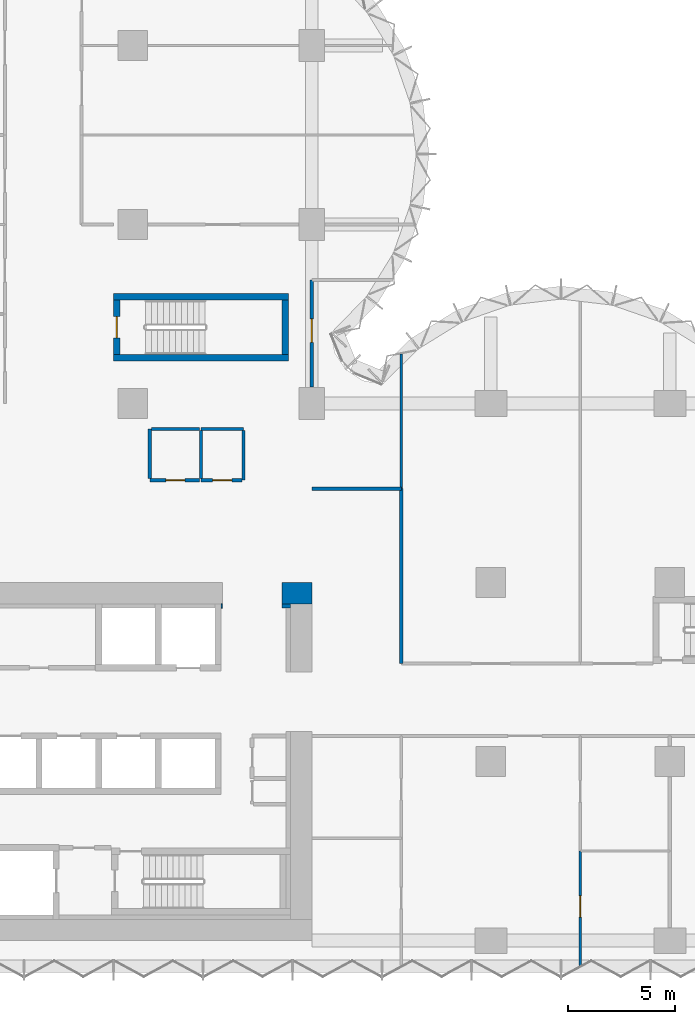
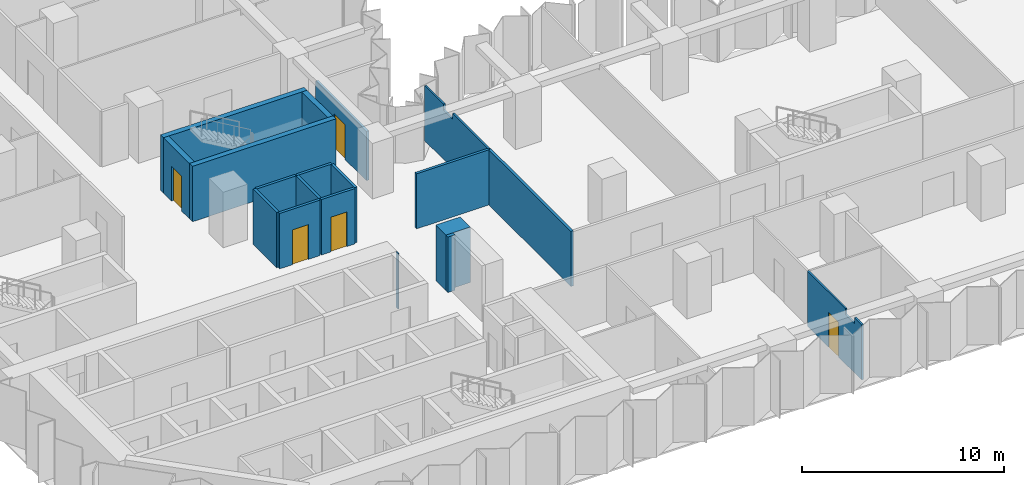
# One storey, part 9 of 15: 19 walls, 5 doors, 5 openings.
"""IFC4 building model written with IfcOpenShell, lengths in metres."""

from ifc_helpers import new_model, si_unit, direction, frame, frame_2d, origin, place, context, subcontext, project, spatial, polyline, rectangle, outline, extrude, material, layer, layer_set, type_object, element, fill, save


model = new_model("IFC4")

# Units and contexts
model_context = context("Model", 3, precision=1e-05, world=origin(), true_north=direction((0.0, 1.0)))
body_context = subcontext(model_context, "Body", "Model", "MODEL_VIEW")
ifc_project = project(units=[si_unit("LENGTHUNIT", "METRE"), si_unit("AREAUNIT", "SQUARE_METRE"), si_unit("VOLUMEUNIT", "CUBIC_METRE"), si_unit("PLANEANGLEUNIT", "RADIAN"), si_unit("MASSUNIT", "GRAM", prefix="KILO")], contexts=[model_context])

# Site, building, storey
site_placement = place(None, origin())
site = spatial("IfcSite", under=ifc_project, at=site_placement, CompositionType="ELEMENT")
building_placement = place(site_placement, origin())
building = spatial("IfcBuilding", under=site, at=building_placement, Name="Brevane Broadcast Tower", CompositionType="ELEMENT")
storey_placement = place(building_placement, frame((0.0, 0.0, 54.5)))
storey = spatial("IfcBuildingStorey", under=building, at=storey_placement, Name="L11", CompositionType="ELEMENT", Elevation=54.5)

# Walls
ifc_material_1 = material(Name="Concrete C32/40", Category="concrete")
ifc_layer_1 = layer(ifc_material_1, 0.199951171875)
ifc_layer_set_1 = layer_set([ifc_layer_1], Name="Core chase wall 200 mm")
wall_type_1 = type_object("IfcWallType", Name="Core chase wall 200 mm", PredefinedType="PARTITIONING", material=ifc_layer_set_1)
wall_1_placement = place(storey_placement, frame((23.800048828125, 15.699951171875, 0.0), z_axis=(0.0, 0.0, 1.0), x_axis=(1.0, 0.0, 0.0)))
element("IfcWall", 1, at=wall_1_placement, inside=storey, type_object=wall_type_1, Name="L11 chase wall LN2", PredefinedType="PARTITIONING", context=body_context, shape_type="SweptSolid", body=[
    extrude(rectangle(XDim=0.39990234375, YDim=0.199951171875, at=frame_2d((0.199951171875, 0.0))), origin(), (0.0, 0.0, 1.0), 3.35009765625),
])
wall_2_placement = place(storey_placement, frame((20.949951171875, 15.699951171875, 0.0), z_axis=(0.0, 0.0, 1.0), x_axis=(1.0, 0.0, 0.0)))
element("IfcWall", 2, at=wall_2_placement, inside=storey, type_object=wall_type_1, Name="L11 chase wall LN1-2-2-2-2", PredefinedType="PARTITIONING", context=body_context, shape_type="SweptSolid", body=[
    extrude(rectangle(XDim=0.050048828125, YDim=0.199951171875, at=frame_2d((0.02490234375, 0.0))), origin(), (0.0, 0.0, 1.0), 3.35009765625),
])
ifc_material_2 = material(Name="Gypsum board on steel studs", Category="steel")
ifc_layer_2 = layer(ifc_material_2, 0.14990234375)
ifc_layer_set_2 = layer_set([ifc_layer_2], Name="Core fire partition 150 mm")
wall_type_2 = type_object("IfcWallType", Name="Core fire partition 150 mm", PredefinedType="PARTITIONING", material=ifc_layer_set_2)
wall_3_placement = place(storey_placement, frame((20.0, 24.0, 0.0), z_axis=(0.0, 0.0, 1.0), x_axis=(1.0, 0.0, 0.0)))
element("IfcWall", 3, at=wall_3_placement, inside=storey, type_object=wall_type_2, Name="L11 partition wall P15", PredefinedType="PARTITIONING", context=body_context, shape_type="SweptSolid", body=[
    extrude(rectangle(XDim=2.0, YDim=0.14990234375, at=frame_2d((1.0, 0.0))), origin(), (0.0, 0.0, 1.0), 3.35009765625),
])
wall_4_placement = place(storey_placement, frame((22.0, 23.925048828125, 0.0), z_axis=(0.0, 0.0, 1.0), x_axis=(0.0, -1.0, 0.0)))
element("IfcWall", 4, at=wall_4_placement, inside=storey, type_object=wall_type_2, Name="L11 partition wall P16", PredefinedType="PARTITIONING", context=body_context, shape_type="SweptSolid", body=[
    extrude(rectangle(XDim=2.324951171875, YDim=0.14990234375, at=frame_2d((1.16259765625, 0.0))), origin(), (0.0, 0.0, 1.0), 3.35009765625),
])

# Wall, opening, door
wall_5_placement = place(storey_placement, frame((21.925048828125, 21.60009765625, 0.0), z_axis=(0.0, 0.0, 1.0), x_axis=(-1.0, 0.0, 0.0)))
wall_5 = element("IfcWall", 5, at=wall_5_placement, inside=storey, type_object=wall_type_2, Name="L11 partition wall P17", PredefinedType="PARTITIONING", context=body_context, shape_type="SweptSolid", body=[
    extrude(rectangle(XDim=1.925048828125, YDim=0.14990234375, at=frame_2d((0.96240234375, 0.0))), origin(), (0.0, 0.0, 1.0), 3.35009765625),
])
opening_1_placement = place(wall_5_placement, frame((0.47509765625, 0.0, 0.0)))
opening_1 = element("IfcOpeningElement", 6, at=opening_1_placement, cuts=wall_5, Name="Opening L11-K24", PredefinedType="OPENING", context=body_context, shape_type="SweptSolid", body=[
    extrude(rectangle(XDim=0.89990234375, YDim=2.10009765625, at=frame_2d((0.449951171875, 1.050048828125))), frame((0.0, 0.0849609375, 0.0), z_axis=(0.0, -1.0, 0.0), x_axis=(1.0, 0.0, 0.0)), (0.0, 0.0, 1.0), 0.169921875),
])
ifc_material_3 = material(Name="Timber", Category="wood")
door_type_1 = type_object("IfcDoorType", Name="Toilet door 900 x 2100", OperationType="SINGLE_SWING_LEFT", PredefinedType="DOOR", material=ifc_material_3)
door_1_placement = place(opening_1_placement, origin())
door_1 = element("IfcDoor", 7, at=door_1_placement, inside=storey, type_object=door_type_1, Name="Door L11-K24", OperationType="SINGLE_SWING_LEFT", OverallHeight=2.10009765625, OverallWidth=0.89990234375, PredefinedType="DOOR", context=body_context, shape_type="SweptSolid", body=[
    extrude(rectangle(XDim=0.89990234375, YDim=2.10009765625, at=frame_2d((0.449951171875, 1.050048828125))), frame((0.0, 0.02490234375, 0.0), z_axis=(0.0, -1.0, 0.0), x_axis=(1.0, 0.0, 0.0)), (0.0, 0.0, 1.0), 0.050048828125),
])
fill(opening_1, door_1)

# Wall
wall_6_placement = place(storey_placement, frame((20.0, 21.675048828125, 0.0), z_axis=(0.0, 0.0, 1.0), x_axis=(0.0, 1.0, 0.0)))
element("IfcWall", 8, at=wall_6_placement, inside=storey, type_object=wall_type_2, Name="L11 partition wall P18", PredefinedType="PARTITIONING", context=body_context, shape_type="SweptSolid", body=[
    extrude(rectangle(XDim=2.25, YDim=0.14990234375, at=frame_2d((1.125, 0.0))), origin(), (0.0, 0.0, 1.0), 3.35009765625),
])

# Wall, opening, door
wall_7_placement = place(storey_placement, frame((19.925048828125, 21.60009765625, 0.0), z_axis=(0.0, 0.0, 1.0), x_axis=(-1.0, 0.0, 0.0)))
wall_7 = element("IfcWall", 9, at=wall_7_placement, inside=storey, type_object=wall_type_2, Name="L11 partition wall P19", PredefinedType="PARTITIONING", context=body_context, shape_type="SweptSolid", body=[
    extrude(rectangle(XDim=2.324951171875, YDim=0.14990234375, at=frame_2d((1.16259765625, 0.0))), origin(), (0.0, 0.0, 1.0), 3.35009765625),
])
opening_2_placement = place(wall_7_placement, frame((0.675048828125, 0.0, 0.0)))
opening_2 = element("IfcOpeningElement", 10, at=opening_2_placement, cuts=wall_7, Name="Opening L11-K25", PredefinedType="OPENING", context=body_context, shape_type="SweptSolid", body=[
    extrude(rectangle(XDim=0.89990234375, YDim=2.10009765625, at=frame_2d((0.449951171875, 1.050048828125))), frame((0.0, 0.0849609375, 0.0), z_axis=(0.0, -1.0, 0.0), x_axis=(1.0, 0.0, 0.0)), (0.0, 0.0, 1.0), 0.169921875),
])
ifc_material_4 = material(Name="Steel", Category="steel")
door_type_2 = type_object("IfcDoorType", Name="Service room door 900 x 2100", OperationType="SINGLE_SWING_LEFT", PredefinedType="DOOR", material=ifc_material_4)
door_2_placement = place(opening_2_placement, origin())
door_2 = element("IfcDoor", 11, at=door_2_placement, inside=storey, type_object=door_type_2, Name="Door L11-K25", OperationType="SINGLE_SWING_RIGHT", OverallHeight=2.10009765625, OverallWidth=0.89990234375, PredefinedType="DOOR", context=body_context, shape_type="SweptSolid", body=[
    extrude(rectangle(XDim=0.89990234375, YDim=2.10009765625, at=frame_2d((0.449951171875, 1.050048828125))), frame((0.0, 0.02490234375, 0.0), z_axis=(0.0, -1.0, 0.0), x_axis=(1.0, 0.0, 0.0)), (0.0, 0.0, 1.0), 0.050048828125),
])
fill(opening_2, door_2)

# Walls
wall_8_placement = place(storey_placement, frame((17.60009765625, 21.675048828125, 0.0), z_axis=(0.0, 0.0, 1.0), x_axis=(0.0, 1.0, 0.0)))
element("IfcWall", 12, at=wall_8_placement, inside=storey, type_object=wall_type_2, Name="L11 partition wall P20", PredefinedType="PARTITIONING", context=body_context, shape_type="SweptSolid", body=[
    extrude(rectangle(XDim=2.324951171875, YDim=0.14990234375, at=frame_2d((1.16259765625, 0.0))), origin(), (0.0, 0.0, 1.0), 3.35009765625),
])
wall_9_placement = place(storey_placement, frame((17.675048828125, 24.0, 0.0), z_axis=(0.0, 0.0, 1.0), x_axis=(1.0, 0.0, 0.0)))
element("IfcWall", 13, at=wall_9_placement, inside=storey, type_object=wall_type_2, Name="L11 partition wall P21", PredefinedType="PARTITIONING", context=body_context, shape_type="SweptSolid", body=[
    extrude(rectangle(XDim=2.25, YDim=0.14990234375, at=frame_2d((1.125, 0.0))), origin(), (0.0, 0.0, 1.0), 3.35009765625),
])
ifc_material_5 = material(Name="Concrete C80/95", Category="concrete")
ifc_layer_3 = layer(ifc_material_5, 1.0)
ifc_layer_set_3 = layer_set([ifc_layer_3], Name="Core wall 1000 mm C80/95")
wall_type_3 = type_object("IfcWallType", Name="Core wall 1000 mm C80/95", PredefinedType="SHEAR", material=ifc_layer_set_3)
wall_10_placement = place(storey_placement, frame((23.800048828125, 16.300048828125, 0.0), z_axis=(0.0, 0.0, 1.0), x_axis=(1.0, 0.0, 0.0)))
element("IfcWall", 14, at=wall_10_placement, inside=storey, type_object=wall_type_3, Name="L11 outer wall WN2", PredefinedType="SHEAR", context=body_context, shape_type="SweptSolid", body=[
    extrude(rectangle(XDim=1.39990234375, YDim=1.0, at=frame_2d((0.699951171875, 0.0))), origin(), (0.0, 0.0, 1.0), 3.35009765625),
])
ifc_layer_4 = layer(ifc_material_5, 0.300048828125)
ifc_layer_set_4 = layer_set([ifc_layer_4], Name="Core wall 300 mm C80/95")
wall_type_4 = type_object("IfcWallType", Name="Core wall 300 mm C80/95", PredefinedType="SHEAR", material=ifc_layer_set_4)
for number, where, z_axis, x_axis, name in (
    (15, (15.89990234375, 27.35009765625, 0.0), (0.0, 0.0, 1.0), (1.0, 0.0, 0.0), "L11 stair wall ST-3-S"),
    (16, (15.89990234375, 30.199951171875, 0.0), (0.0, 0.0, 1.0), (1.0, 0.0, 0.0), "L11 stair wall ST-3-N"),
):
    element("IfcWall", number, at=place(storey_placement, frame(where, z_axis=z_axis, x_axis=x_axis)), inside=storey, type_object=wall_type_4, Name=name, PredefinedType="SHEAR", context=body_context, shape_type="SweptSolid", body=[
        extrude(rectangle(XDim=8.2001953125, YDim=0.300048828125, at=frame_2d((4.10009765625, 0.0))), origin(), (0.0, 0.0, 1.0), 3.35009765625),
    ])

# Wall, opening, door
wall_11_placement = place(storey_placement, frame((16.050048828125, 27.5, 0.0), z_axis=(0.0, 0.0, 1.0), x_axis=(0.0, 1.0, 0.0)))
wall_11 = element("IfcWall", 17, at=wall_11_placement, inside=storey, type_object=wall_type_4, Name="L11 stair wall ST-3-W", PredefinedType="SHEAR", context=body_context, shape_type="SweptSolid", body=[
    extrude(rectangle(XDim=2.550048828125, YDim=0.300048828125, at=frame_2d((1.27490234375, 0.0))), origin(), (0.0, 0.0, 1.0), 3.35009765625),
])
opening_3_placement = place(wall_11_placement, frame((0.77490234375, 0.0, 0.0)))
opening_3 = element("IfcOpeningElement", 18, at=opening_3_placement, cuts=wall_11, Name="Opening L11-K14", PredefinedType="OPENING", context=body_context, shape_type="SweptSolid", body=[
    extrude(rectangle(XDim=1.0, YDim=2.10009765625, at=frame_2d((0.5, 1.050048828125))), frame((0.0, 0.159912109375, 0.0), z_axis=(0.0, -1.0, 0.0), x_axis=(1.0, 0.0, 0.0)), (0.0, 0.0, 1.0), 0.320068359375),
])
door_type_3 = type_object("IfcDoorType", Name="Stair door 1000 x 2100", OperationType="SINGLE_SWING_LEFT", PredefinedType="DOOR", material=ifc_material_4)
door_3_placement = place(opening_3_placement, origin())
door_3 = element("IfcDoor", 19, at=door_3_placement, inside=storey, type_object=door_type_3, Name="Door L11-K14", OperationType="SINGLE_SWING_LEFT", OverallHeight=2.10009765625, OverallWidth=1.0, PredefinedType="DOOR", context=body_context, shape_type="SweptSolid", body=[
    extrude(rectangle(XDim=1.0, YDim=2.10009765625, at=frame_2d((0.5, 1.050048828125))), frame((0.0, 0.02490234375, 0.0), z_axis=(0.0, -1.0, 0.0), x_axis=(1.0, 0.0, 0.0)), (0.0, 0.0, 1.0), 0.050048828125),
])
fill(opening_3, door_3)

# Walls
wall_12_placement = place(storey_placement, frame((23.949951171875, 27.5, 0.0), z_axis=(0.0, 0.0, 1.0), x_axis=(0.0, 1.0, 0.0)))
element("IfcWall", 20, at=wall_12_placement, inside=storey, type_object=wall_type_4, Name="L11 stair wall ST-3-E", PredefinedType="SHEAR", context=body_context, shape_type="SweptSolid", body=[
    extrude(rectangle(XDim=2.550048828125, YDim=0.300048828125, at=frame_2d((1.27490234375, 0.0))), origin(), (0.0, 0.0, 1.0), 3.35009765625),
])
ifc_material_6 = material(Name="Gypsum board partition")
ifc_layer_5 = layer(ifc_material_6, 0.10009765625)
ifc_layer_set_5 = layer_set([ifc_layer_5], Name="PARTITION 100 STUD")
wall_type_5 = type_object("IfcWallType", Name="PARTITION 100 STUD", PredefinedType="PARTITIONING", material=ifc_layer_set_5)
wall_13_placement = place(storey_placement, frame((29.39990234375, 27.510986328125, 0.0), z_axis=(0.0, 0.0, 1.0), x_axis=(0.0, -1.0, 0.0)))
element("IfcWall", 21, at=wall_13_placement, inside=storey, type_object=wall_type_5, Name="Partition G02-004", PredefinedType="PARTITIONING", context=body_context, shape_type="SweptSolid", body=[
    extrude(outline(polyline([(0.0, 0.0), (6.31103515625, 0.0), (6.31103515625, 3.330078125), (2.760986328125, 3.330078125), (2.759033203125, 2.97998046875), (1.863037109375, 2.97998046875), (1.861083984375, 3.330078125), (0.236083984375, 3.330078125), (0.0, 3.330078125), (0.0, 0.0)])), frame((0.0, 0.050048828125, 0.0), z_axis=(0.0, -1.0, 0.0), x_axis=(1.0, 0.0, 0.0)), (0.0, 0.0, 1.0), 0.10009765625),
])

# Wall, opening, door
wall_14_placement = place(storey_placement, frame((37.800048828125, 4.199951171875, 0.0), z_axis=(0.0, 0.0, 1.0), x_axis=(0.0, -1.0, 0.0)))
wall_14 = element("IfcWall", 22, at=wall_14_placement, inside=storey, type_object=wall_type_5, Name="Partition G02-017", PredefinedType="PARTITIONING", context=body_context, shape_type="SweptSolid", body=[
    extrude(outline(polyline([(0.0, 0.0), (5.3740234375, 0.0), (5.3740234375, 3.330078125), (5.300048828125, 3.330078125), (4.64990234375, 3.330078125), (4.64794921875, 2.97998046875), (3.751953125, 2.97998046875), (3.75, 3.330078125), (0.0, 3.330078125), (0.0, 0.0)])), frame((0.0, 0.050048828125, 0.0), z_axis=(0.0, -1.0, 0.0), x_axis=(1.0, 0.0, 0.0)), (0.0, 0.0, 1.0), 0.10009765625),
])
opening_4_placement = place(wall_14_placement, frame((2.10009765625, 0.0, 0.0)))
opening_4 = element("IfcOpeningElement", 23, at=opening_4_placement, cuts=wall_14, Name="Opening D08-003", PredefinedType="OPENING", context=body_context, shape_type="SweptSolid", body=[
    extrude(rectangle(XDim=1.0, YDim=2.10009765625, at=frame_2d((0.5, 1.050048828125))), frame((0.0, 0.06005859375, 0.0), z_axis=(0.0, -1.0, 0.0), x_axis=(1.0, 0.0, 0.0)), (0.0, 0.0, 1.0), 0.1201171875),
])
ifc_material_7 = material(Name="Timber door leaf", Category="wood")
door_type_4 = type_object("IfcDoorType", Name="DOOR SINGLE 1000 INTERNAL", OperationType="SINGLE_SWING_LEFT", PredefinedType="DOOR", material=ifc_material_7)
door_4_placement = place(opening_4_placement, origin())
door_4 = element("IfcDoor", 24, at=door_4_placement, inside=storey, type_object=door_type_4, Name="Door D08-003", OperationType="SINGLE_SWING_LEFT", OverallHeight=2.10009765625, OverallWidth=1.0, PredefinedType="DOOR", context=body_context, shape_type="SweptSolid", body=[
    extrude(rectangle(XDim=1.0, YDim=2.10009765625, at=frame_2d((0.5, 1.050048828125))), frame((0.0, 0.02490234375, 0.0), z_axis=(0.0, -1.0, 0.0), x_axis=(1.0, 0.0, 0.0)), (0.0, 0.0, 1.0), 0.050048828125),
])
fill(opening_4, door_4)

# Walls
ifc_layer_6 = layer(ifc_material_6, 0.14990234375)
ifc_layer_set_6 = layer_set([ifc_layer_6], Name="PARTITION 150 EI 60")
wall_type_6 = type_object("IfcWallType", Name="PARTITION 150 EI 60", PredefinedType="PARTITIONING", material=ifc_layer_set_6)
wall_15_placement = place(storey_placement, frame((25.199951171875, 21.199951171875, 0.0), z_axis=(0.0, 0.0, 1.0), x_axis=(1.0, 0.0, 0.0)))
element("IfcWall", 25, at=wall_15_placement, inside=storey, type_object=wall_type_6, Name="Partition G02-001", PredefinedType="PARTITIONING", context=body_context, shape_type="SweptSolid", body=[
    extrude(rectangle(XDim=4.199951171875, YDim=0.14990234375, at=frame_2d((2.10009765625, 0.0))), origin(), (0.0, 0.0, 1.0), 3.330078125),
])
wall_16_placement = place(storey_placement, frame((29.39990234375, 21.199951171875, 0.0), z_axis=(0.0, 0.0, 1.0), x_axis=(0.0, -1.0, 0.0)))
element("IfcWall", 26, at=wall_16_placement, inside=storey, type_object=wall_type_6, Name="Partition G02-003", PredefinedType="PARTITIONING", context=body_context, shape_type="SweptSolid", body=[
    extrude(rectangle(XDim=8.199951171875, YDim=0.14990234375, at=frame_2d((4.10009765625, 0.0))), origin(), (0.0, 0.0, 1.0), 3.330078125),
])

# Wall, opening, door
wall_17_placement = place(storey_placement, frame((25.199951171875, 31.0, 0.0), z_axis=(0.0, 0.0, 1.0), x_axis=(0.0, -1.0, 0.0)))
wall_17 = element("IfcWall", 27, at=wall_17_placement, inside=storey, type_object=wall_type_6, Name="Partition G02-005", PredefinedType="PARTITIONING", context=body_context, shape_type="SweptSolid", body=[
    extrude(outline(polyline([(0.0, 0.0), (5.030029296875, 0.0), (5.030029296875, 2.97998046875), (0.0, 2.97998046875), (0.0, 0.0)])), frame((0.0, 0.074951171875, 0.0), z_axis=(0.0, -1.0, 0.0), x_axis=(1.0, 0.0, 0.0)), (0.0, 0.0, 1.0), 0.14990234375),
])
opening_5_placement = place(wall_17_placement, frame((1.830078125, 0.0, 0.0)))
opening_5 = element("IfcOpeningElement", 28, at=opening_5_placement, cuts=wall_17, Name="Opening D08-001", PredefinedType="OPENING", context=body_context, shape_type="SweptSolid", body=[
    extrude(rectangle(XDim=1.10009765625, YDim=2.10009765625, at=frame_2d((0.550048828125, 1.050048828125))), frame((0.0, 0.0849609375, 0.0), z_axis=(0.0, -1.0, 0.0), x_axis=(1.0, 0.0, 0.0)), (0.0, 0.0, 1.0), 0.169921875),
])
ifc_material_8 = material(Name="Fire-rated timber door leaf", Category="wood")
door_type_5 = type_object("IfcDoorType", Name="DOOR SINGLE 1100 FD30S", OperationType="SINGLE_SWING_LEFT", PredefinedType="DOOR", material=ifc_material_8)
door_5_placement = place(opening_5_placement, origin())
door_5 = element("IfcDoor", 29, at=door_5_placement, inside=storey, type_object=door_type_5, Name="Door D08-001", OperationType="SINGLE_SWING_RIGHT", OverallHeight=2.10009765625, OverallWidth=1.10009765625, PredefinedType="DOOR", context=body_context, shape_type="SweptSolid", body=[
    extrude(rectangle(XDim=1.10009765625, YDim=2.10009765625, at=frame_2d((0.550048828125, 1.050048828125))), frame((0.0, 0.02490234375, 0.0), z_axis=(0.0, -1.0, 0.0), x_axis=(1.0, 0.0, 0.0)), (0.0, 0.0, 1.0), 0.050048828125),
])
fill(opening_5, door_5)

save(model, "model.ifc")
